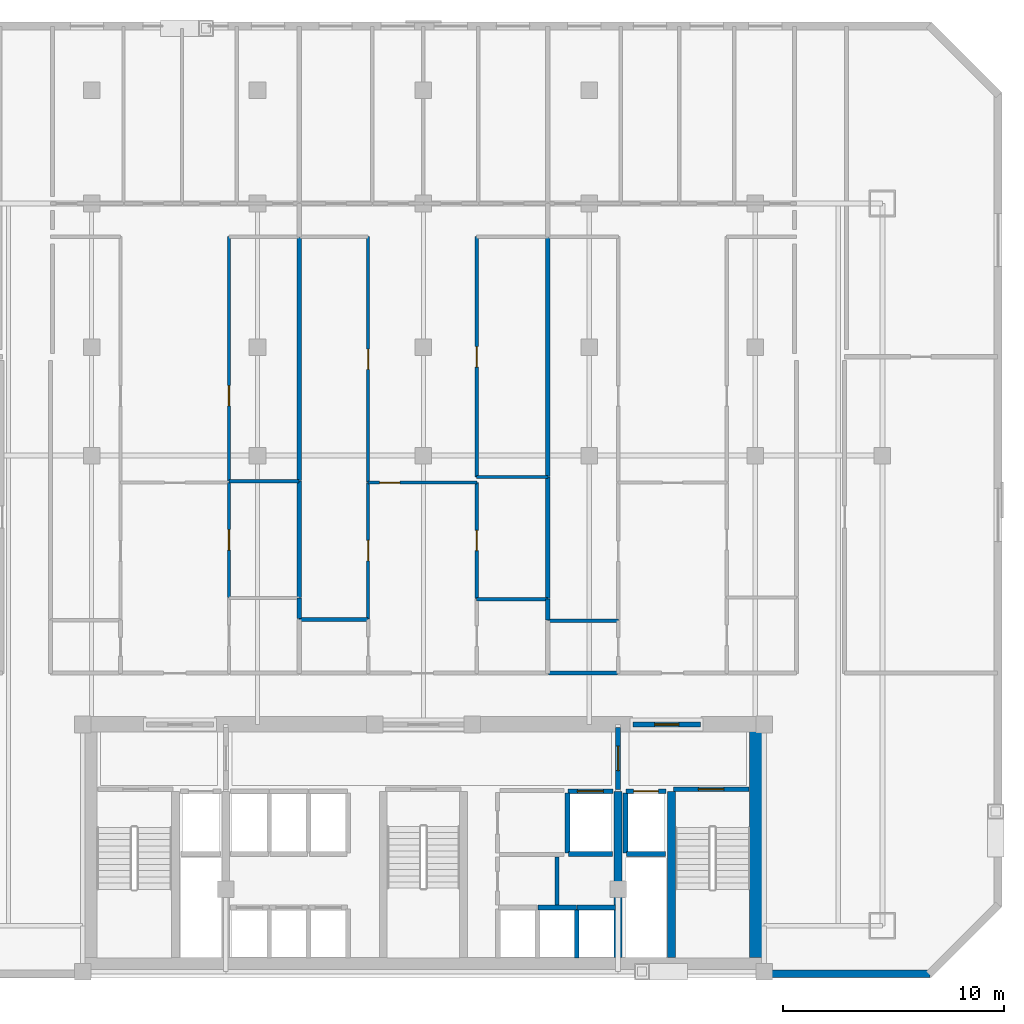
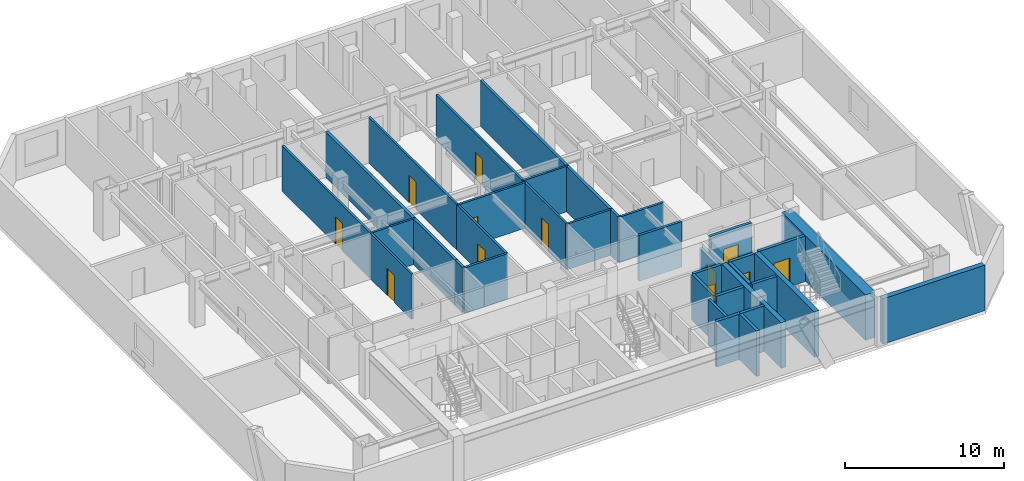
# One storey, part 4 of 8: 36 walls, 12 doors, 12 openings.
"""IFC4 building model written with IfcOpenShell, lengths in metres."""

from ifc_helpers import new_model, si_unit, direction, frame, frame_2d, origin, place, context, subcontext, project, spatial, rectangle, extrude, material, layer, layer_set, type_object, element, fill, save


model = new_model("IFC4")

# Units and contexts
model_context = context("Model", 3, precision=1e-05, world=origin(), true_north=direction((0.0, 1.0)))
body_context = subcontext(model_context, "Body", "Model", "MODEL_VIEW")
ifc_project = project(units=[si_unit("LENGTHUNIT", "METRE"), si_unit("AREAUNIT", "SQUARE_METRE"), si_unit("VOLUMEUNIT", "CUBIC_METRE"), si_unit("PLANEANGLEUNIT", "RADIAN"), si_unit("MASSUNIT", "GRAM", prefix="KILO")], contexts=[model_context])

# Site, building, storey
site_placement = place(None, origin())
site = spatial("IfcSite", under=ifc_project, at=site_placement, CompositionType="ELEMENT")
building_placement = place(site_placement, origin())
building = spatial("IfcBuilding", under=site, at=building_placement, Name="Ventersveld Concourse Tower", CompositionType="ELEMENT")
storey_placement = place(building_placement, frame((0.0, 0.0, 131.10009765625)))
storey = spatial("IfcBuildingStorey", under=building, at=storey_placement, Name="L32", CompositionType="ELEMENT", Elevation=131.10009765625)

# Walls
ifc_material_1 = material(Name="Concrete C60/75", Category="concrete")
ifc_layer_1 = layer(ifc_material_1, 0.35009765625)
ifc_layer_set_1 = layer_set([ifc_layer_1], Name="Concrete C60/75")
wall_type_1 = type_object("IfcWallType", Name="WL-CORE-350L", PredefinedType="SHEAR", material=ifc_layer_set_1)
for number, where, z_axis, x_axis, name in (
    (1, (37.550048828125, 0.919921875, 0.0), (0.0, 0.0, 1.0), (0.0, 1.0, 0.0), "L32 Core Internal Shear Web W-SVL-W"),
    (2, (39.9599609375, 0.919921875, 0.0), (0.0, 0.0, 1.0), (0.0, 1.0, 0.0), "L32 Core Internal Shear Web W-ST2-W"),
):
    element("IfcWall", number, at=place(storey_placement, frame(where, z_axis=z_axis, x_axis=x_axis)), inside=storey, type_object=wall_type_1, Name=name, PredefinedType="SHEAR", context=body_context, shape_type="SweptSolid", body=[
        extrude(rectangle(XDim=7.5, YDim=0.35009765625, at=frame_2d((3.75, 0.0))), origin(), (0.0, 0.0, 1.0), 3.5),
    ])
ifc_layer_2 = layer(ifc_material_1, 0.699951171875)
ifc_layer_set_2 = layer_set([ifc_layer_2], Name="Concrete C60/75")
wall_type_2 = type_object("IfcWallType", Name="WL-CORE-700", PredefinedType="SHEAR", material=ifc_layer_set_2)
wall_1_placement = place(storey_placement, frame((43.85009765625, 0.919921875, 0.0), z_axis=(0.0, 0.0, 1.0), x_axis=(0.0, 1.0, 0.0)))
element("IfcWall", 3, at=wall_1_placement, inside=storey, type_object=wall_type_2, Name="L32 Rear Core East Shear Wall", PredefinedType="SHEAR", context=body_context, shape_type="SweptSolid", body=[
    extrude(rectangle(XDim=10.530029296875, YDim=0.699951171875, at=frame_2d((5.26513671875, 0.0))), origin(), (0.0, 0.0, 1.0), 3.5),
])
ifc_material_2 = material(Name="Fire-rated autoclaved aerated masonry blockwork", Category="masonry")
ifc_layer_3 = layer(ifc_material_2, 0.179931640625)
ifc_layer_set_3 = layer_set([ifc_layer_3], Name="Fire-rated autoclaved aerated masonry blockwork")
wall_type_3 = type_object("IfcWallType", Name="WL-CORR-180", PredefinedType="PARTITIONING", material=ifc_layer_set_3)
wall_2_placement = place(storey_placement, frame((34.780029296875, 3.280029296875, 0.0), z_axis=(0.0, 0.0, 1.0), x_axis=(0.0, 1.0, 0.0)))
element("IfcWall", 4, at=wall_2_placement, inside=storey, type_object=wall_type_3, Name="L32 Core East Wall SP-L32-CBAY2", PredefinedType="PARTITIONING", context=body_context, shape_type="SweptSolid", body=[
    extrude(rectangle(XDim=2.169921875, YDim=0.179931640625, at=frame_2d((1.0849609375, 0.0))), origin(), (0.0, 0.0, 1.0), 3.5),
])
wall_3_placement = place(storey_placement, frame((34.405029296875, 13.77001953125, 0.0), z_axis=(0.0, 0.0, 1.0), x_axis=(1.0, 0.0, 0.0)))
element("IfcWall", 5, at=wall_3_placement, inside=storey, type_object=wall_type_3, Name="L32 Interior Partition SP-L32-COR-SP-L32-32N3-BATH", PredefinedType="PARTITIONING", context=body_context, shape_type="SweptSolid", body=[
    extrude(rectangle(XDim=3.119140625, YDim=0.179931640625, at=frame_2d((1.5595703125, 0.0))), origin(), (0.0, 0.0, 1.0), 3.5),
])
ifc_layer_4 = layer(ifc_material_2, 0.199951171875)
ifc_layer_set_4 = layer_set([ifc_layer_4], Name="Fire-rated autoclaved aerated masonry blockwork")
wall_type_4 = type_object("IfcWallType", Name="WL-DEMISE-200", PredefinedType="PARTITIONING", material=ifc_layer_set_4)
wall_4_placement = place(storey_placement, frame((23.1298828125, 16.229736328125, 0.0), z_axis=(0.0, 0.0, 1.0), x_axis=(0.0, 1.0, 0.0)))
element("IfcWall", 6, at=wall_4_placement, inside=storey, type_object=wall_type_4, Name="L32 Interior Partition SP-L32-32N1-KIT-SP-L32-32N2-OFFL0", PredefinedType="PARTITIONING", context=body_context, shape_type="SweptSolid", body=[
    extrude(rectangle(XDim=0.940185546875, YDim=0.199951171875, at=frame_2d((0.47021484375, 0.0))), origin(), (0.0, 0.0, 1.0), 3.5),
])
wall_5_placement = place(storey_placement, frame((23.1298828125, 17.19970703125, 0.0), z_axis=(0.0, 0.0, 1.0), x_axis=(0.0, 1.0, 0.0)))
element("IfcWall", 7, at=wall_5_placement, inside=storey, type_object=wall_type_4, Name="L32 Interior Partition SP-L32-32N1-SEMR1-SP-L32-32N2-OFFL0", PredefinedType="PARTITIONING", context=body_context, shape_type="SweptSolid", body=[
    extrude(rectangle(XDim=5.246826171875, YDim=0.199951171875, at=frame_2d((2.62353515625, 0.0))), origin(), (0.0, 0.0, 1.0), 3.5),
])
wall_6_placement = place(storey_placement, frame((23.1298828125, 22.4765625, 0.0), z_axis=(0.0, 0.0, 1.0), x_axis=(0.0, 1.0, 0.0)))
element("IfcWall", 8, at=wall_6_placement, inside=storey, type_object=wall_type_4, Name="L32 Interior Partition SP-L32-32N1-DENS-SP-L32-32N2-OFFL0", PredefinedType="PARTITIONING", context=body_context, shape_type="SweptSolid", body=[
    extrude(rectangle(XDim=10.988525390625, YDim=0.199951171875, at=frame_2d((5.494140625, 0.0))), origin(), (0.0, 0.0, 1.0), 3.5),
])
wall_7_placement = place(storey_placement, frame((34.3701171875, 16.17822265625, 0.0), z_axis=(0.0, 0.0, 1.0), x_axis=(0.0, 1.0, 0.0)))
element("IfcWall", 9, at=wall_7_placement, inside=storey, type_object=wall_type_4, Name="L32 Interior Partition SP-L32-32N2-KIT-SP-L32-32N3-OFFL0", PredefinedType="PARTITIONING", context=body_context, shape_type="SweptSolid", body=[
    extrude(rectangle(XDim=0.94287109375, YDim=0.199951171875, at=frame_2d((0.471435546875, 0.0))), origin(), (0.0, 0.0, 1.0), 3.5),
])
wall_8_placement = place(storey_placement, frame((34.3701171875, 17.15087890625, 0.0), z_axis=(0.0, 0.0, 1.0), x_axis=(0.0, 1.0, 0.0)))
element("IfcWall", 10, at=wall_8_placement, inside=storey, type_object=wall_type_4, Name="L32 Interior Partition SP-L32-32N2-SEMR1-SP-L32-32N3-OFFL0", PredefinedType="PARTITIONING", context=body_context, shape_type="SweptSolid", body=[
    extrude(rectangle(XDim=5.487548828125, YDim=0.199951171875, at=frame_2d((2.74365234375, 0.0))), origin(), (0.0, 0.0, 1.0), 3.5),
])
wall_9_placement = place(storey_placement, frame((34.3701171875, 22.66845703125, 0.0), z_axis=(0.0, 0.0, 1.0), x_axis=(0.0, 1.0, 0.0)))
element("IfcWall", 11, at=wall_9_placement, inside=storey, type_object=wall_type_4, Name="L32 Interior Partition SP-L32-32N2-DENS-SP-L32-32N3-OFFL0", PredefinedType="PARTITIONING", context=body_context, shape_type="SweptSolid", body=[
    extrude(rectangle(XDim=10.796630859375, YDim=0.199951171875, at=frame_2d((5.3984375, 0.0))), origin(), (0.0, 0.0, 1.0), 3.5),
])
ifc_layer_5 = layer(ifc_material_2, 0.219970703125)
ifc_layer_set_5 = layer_set([ifc_layer_5], Name="Fire-rated autoclaved aerated masonry blockwork")
wall_type_5 = type_object("IfcWallType", Name="WL-HOIST-220", PredefinedType="SOLIDWALL", material=ifc_layer_set_5)
wall_10_placement = place(storey_placement, frame((37.919921875, 5.590087890625, 0.0), z_axis=(0.0, 0.0, 1.0), x_axis=(1.0, 0.0, 0.0)))
element("IfcWall", 12, at=wall_10_placement, inside=storey, type_object=wall_type_5, Name="L32 Lift Hoistway Back Wall FFL-02", PredefinedType="SOLIDWALL", context=body_context, shape_type="SweptSolid", body=[
    extrude(rectangle(XDim=1.780029296875, YDim=0.219970703125, at=frame_2d((0.89013671875, 0.0))), origin(), (0.0, 0.0, 1.0), 3.5),
])
wall_11_placement = place(storey_placement, frame((37.8798828125, 5.64990234375, 0.0), z_axis=(0.0, 0.0, 1.0), x_axis=(0.0, 1.0, 0.0)))
element("IfcWall", 13, at=wall_11_placement, inside=storey, type_object=wall_type_5, Name="L32 Lift Hoistway Side Wall FFL-02W", PredefinedType="SOLIDWALL", context=body_context, shape_type="SweptSolid", body=[
    extrude(rectangle(XDim=2.7001953125, YDim=0.219970703125, at=frame_2d((1.35009765625, 0.0))), origin(), (0.0, 0.0, 1.0), 3.5),
])

# Wall, opening, door
wall_12_placement = place(storey_placement, frame((37.89990234375, 8.429931640625, 0.0), z_axis=(0.0, 0.0, 1.0), x_axis=(1.0, 0.0, 0.0)))
wall_12 = element("IfcWall", 14, at=wall_12_placement, inside=storey, type_object=wall_type_5, Name="L32 Lift Hoistway Front Wall FFL-02", PredefinedType="SOLIDWALL", context=body_context, shape_type="SweptSolid", body=[
    extrude(rectangle(XDim=1.820068359375, YDim=0.219970703125, at=frame_2d((0.91015625, 0.0))), origin(), (0.0, 0.0, 1.0), 3.5),
])
opening_1_placement = place(wall_12_placement, frame((0.35009765625, 0.0, 0.0)))
opening_1 = element("IfcOpeningElement", 15, at=opening_1_placement, cuts=wall_12, Name="Opening LD1", PredefinedType="OPENING", context=body_context, shape_type="SweptSolid", body=[
    extrude(rectangle(XDim=1.1201171875, YDim=2.25, at=frame_2d((0.56005859375, 1.125))), frame((0.0, 0.1201171875, 0.0), z_axis=(0.0, -1.0, 0.0), x_axis=(1.0, 0.0, 0.0)), (0.0, 0.0, 1.0), 0.239990234375),
])
ifc_material_3 = material(Name="Brushed stainless steel 316", Category="steel")
door_type_1 = type_object("IfcDoorType", Name="LD-FF-112", OperationType="SLIDING_TO_LEFT", PredefinedType="DOOR", material=ifc_material_3)
door_1_placement = place(opening_1_placement, origin())
door_1 = element("IfcDoor", 16, at=door_1_placement, inside=storey, type_object=door_type_1, Name="L32 Lift landing door FFL-02 (LD-L32-FFL-02)", OperationType="SLIDING_TO_RIGHT", OverallHeight=2.25, OverallWidth=1.1201171875, PredefinedType="DOOR", context=body_context, shape_type="SweptSolid", body=[
    extrude(rectangle(XDim=1.1201171875, YDim=2.25, at=frame_2d((0.56005859375, 1.125))), frame((0.0, 0.02490234375, 0.0), z_axis=(0.0, -1.0, 0.0), x_axis=(1.0, 0.0, 0.0)), (0.0, 0.0, 1.0), 0.050048828125),
])
fill(opening_1, door_1)

# Walls
wall_13_placement = place(storey_placement, frame((35.300048828125, 5.590087890625, 0.0), z_axis=(0.0, 0.0, 1.0), x_axis=(1.0, 0.0, 0.0)))
element("IfcWall", 17, at=wall_13_placement, inside=storey, type_object=wall_type_5, Name="L32 Lift Hoistway Back Wall SVL-01", PredefinedType="SOLIDWALL", context=body_context, shape_type="SweptSolid", body=[
    extrude(rectangle(XDim=2.0, YDim=0.219970703125, at=frame_2d((1.0, 0.0))), origin(), (0.0, 0.0, 1.0), 3.5),
])
wall_14_placement = place(storey_placement, frame((35.260009765625, 5.64990234375, 0.0), z_axis=(0.0, 0.0, 1.0), x_axis=(0.0, 1.0, 0.0)))
element("IfcWall", 18, at=wall_14_placement, inside=storey, type_object=wall_type_5, Name="L32 Lift Hoistway Side Wall SVL-01W", PredefinedType="SOLIDWALL", context=body_context, shape_type="SweptSolid", body=[
    extrude(rectangle(XDim=2.7001953125, YDim=0.219970703125, at=frame_2d((1.35009765625, 0.0))), origin(), (0.0, 0.0, 1.0), 3.5),
])

# Wall, opening, door
wall_15_placement = place(storey_placement, frame((35.280029296875, 8.429931640625, 0.0), z_axis=(0.0, 0.0, 1.0), x_axis=(1.0, 0.0, 0.0)))
wall_15 = element("IfcWall", 19, at=wall_15_placement, inside=storey, type_object=wall_type_5, Name="L32 Lift Hoistway Front Wall SVL-01", PredefinedType="SOLIDWALL", context=body_context, shape_type="SweptSolid", body=[
    extrude(rectangle(XDim=2.0400390625, YDim=0.219970703125, at=frame_2d((1.02001953125, 0.0))), origin(), (0.0, 0.0, 1.0), 3.5),
])
opening_2_placement = place(wall_15_placement, frame((0.429931640625, 0.0, 0.0)))
opening_2 = element("IfcOpeningElement", 20, at=opening_2_placement, cuts=wall_15, Name="Opening LD2", PredefinedType="OPENING", context=body_context, shape_type="SweptSolid", body=[
    extrude(rectangle(XDim=1.179931640625, YDim=2.199951171875, at=frame_2d((0.58984375, 1.10009765625))), frame((0.0, 0.1201171875, 0.0), z_axis=(0.0, -1.0, 0.0), x_axis=(1.0, 0.0, 0.0)), (0.0, 0.0, 1.0), 0.239990234375),
])
door_type_2 = type_object("IfcDoorType", Name="LD-PAX-118", OperationType="SLIDING_TO_LEFT", PredefinedType="DOOR", material=ifc_material_3)
door_2_placement = place(opening_2_placement, origin())
door_2 = element("IfcDoor", 21, at=door_2_placement, inside=storey, type_object=door_type_2, Name="L32 Lift landing door SVL-01 (LD-L32-SVL-01)", OperationType="SLIDING_TO_LEFT", OverallHeight=2.199951171875, OverallWidth=1.179931640625, PredefinedType="DOOR", context=body_context, shape_type="SweptSolid", body=[
    extrude(rectangle(XDim=1.179931640625, YDim=2.199951171875, at=frame_2d((0.58984375, 1.10009765625))), frame((0.0, 0.02490234375, 0.0), z_axis=(0.0, -1.0, 0.0), x_axis=(1.0, 0.0, 0.0)), (0.0, 0.0, 1.0), 0.050048828125),
])
fill(opening_2, door_2)

# Walls
wall_16_placement = place(storey_placement, frame((35.679931640625, 0.89990234375, 0.0), z_axis=(0.0, 0.0, 1.0), x_axis=(0.0, 1.0, 0.0)))
element("IfcWall", 22, at=wall_16_placement, inside=storey, type_object=wall_type_5, Name="L32 Lift Hoistway Side Wall PM-02E", PredefinedType="SOLIDWALL", context=body_context, shape_type="SweptSolid", body=[
    extrude(rectangle(XDim=2.2001953125, YDim=0.219970703125, at=frame_2d((1.10009765625, 0.0))), origin(), (0.0, 0.0, 1.0), 3.5),
])
for number, where, z_axis, x_axis, name in (
    (23, (33.919921875, 3.179931640625, 0.0), (0.0, 0.0, 1.0), (1.0, 0.0, 0.0), "L32 Lift Hoistway Front Wall PM-02"),
    (24, (35.699951171875, 3.179931640625, 0.0), (0.0, 0.0, 1.0), (1.0, 0.0, 0.0), "L32 Lift Hoistway Front Wall PM-03"),
):
    element("IfcWall", number, at=place(storey_placement, frame(where, z_axis=z_axis, x_axis=x_axis)), inside=storey, type_object=wall_type_5, Name=name, PredefinedType="SOLIDWALL", context=body_context, shape_type="SweptSolid", body=[
        extrude(rectangle(XDim=1.739990234375, YDim=0.219970703125, at=frame_2d((0.8701171875, 0.0))), origin(), (0.0, 0.0, 1.0), 3.5),
    ])

# Wall, opening, door
wall_17_placement = place(storey_placement, frame((40.06005859375, 8.52001953125, 0.0), z_axis=(0.0, 0.0, 1.0), x_axis=(1.0, 0.0, 0.0)))
wall_17 = element("IfcWall", 25, at=wall_17_placement, inside=storey, type_object=wall_type_5, Name="L32 Escape Stair ST02 Fire Wall", PredefinedType="SOLIDWALL", context=body_context, shape_type="SweptSolid", body=[
    extrude(rectangle(XDim=3.39990234375, YDim=0.219970703125, at=frame_2d((1.699951171875, 0.0))), origin(), (0.0, 0.0, 1.0), 3.5),
])
opening_3_placement = place(wall_17_placement, frame((1.125, 0.0, 0.0)))
opening_3 = element("IfcOpeningElement", 26, at=opening_3_placement, cuts=wall_17, Name="Opening FD1", PredefinedType="OPENING", context=body_context, shape_type="SweptSolid", body=[
    extrude(rectangle(XDim=1.14990234375, YDim=2.199951171875, at=frame_2d((0.574951171875, 1.10009765625))), frame((0.0, 0.1201171875, 0.0), z_axis=(0.0, -1.0, 0.0), x_axis=(1.0, 0.0, 0.0)), (0.0, 0.0, 1.0), 0.239990234375),
])
ifc_material_4 = material(Name="Galvanised painted steel", Category="steel")
door_type_3 = type_object("IfcDoorType", Name="DR-STAIR-115", OperationType="NOTDEFINED", PredefinedType="DOOR", material=ifc_material_4)
door_3_placement = place(opening_3_placement, origin())
door_3 = element("IfcDoor", 27, at=door_3_placement, inside=storey, type_object=door_type_3, Name="L32 Escape Stair Door ST02 (SD-L32-1585)", OperationType="SINGLE_SWING_RIGHT", OverallHeight=2.199951171875, OverallWidth=1.14990234375, PredefinedType="DOOR", context=body_context, shape_type="SweptSolid", body=[
    extrude(rectangle(XDim=1.14990234375, YDim=2.199951171875, at=frame_2d((0.574951171875, 1.10009765625))), frame((0.0, 0.02490234375, 0.0), z_axis=(0.0, -1.0, 0.0), x_axis=(1.0, 0.0, 0.0)), (0.0, 0.0, 1.0), 0.050048828125),
])
fill(opening_3, door_3)

wall_18_placement = place(storey_placement, frame((37.550048828125, 8.52001953125, 0.0), z_axis=(0.0, 0.0, 1.0), x_axis=(0.0, 1.0, 0.0)))
wall_18 = element("IfcWall", 28, at=wall_18_placement, inside=storey, type_object=wall_type_5, Name="L32 Firefighting Lobby Smoke-Stop Wall FFLE-SEP", PredefinedType="SOLIDWALL", context=body_context, shape_type="SweptSolid", body=[
    extrude(rectangle(XDim=2.800048828125, YDim=0.219970703125, at=frame_2d((1.39990234375, 0.0))), origin(), (0.0, 0.0, 1.0), 2.955322265625),
])
opening_4_placement = place(wall_18_placement, frame((0.85009765625, 0.0, 0.0)))
opening_4 = element("IfcOpeningElement", 29, at=opening_4_placement, cuts=wall_18, Name="Opening FD2", PredefinedType="OPENING", context=body_context, shape_type="SweptSolid", body=[
    extrude(rectangle(XDim=1.10009765625, YDim=2.199951171875, at=frame_2d((0.550048828125, 1.10009765625))), frame((0.0, 0.1201171875, 0.0), z_axis=(0.0, -1.0, 0.0), x_axis=(1.0, 0.0, 0.0)), (0.0, 0.0, 1.0), 0.239990234375),
])
door_type_4 = type_object("IfcDoorType", Name="DR-FFL-110", OperationType="NOTDEFINED", PredefinedType="DOOR", material=ifc_material_4)
door_4_placement = place(opening_4_placement, origin())
door_4 = element("IfcDoor", 30, at=door_4_placement, inside=storey, type_object=door_type_4, Name="L32 Firefighting Lobby Door FFLE-SEP (FD-L32-1588)", OperationType="SINGLE_SWING_RIGHT", OverallHeight=2.199951171875, OverallWidth=1.10009765625, PredefinedType="DOOR", context=body_context, shape_type="SweptSolid", body=[
    extrude(rectangle(XDim=1.10009765625, YDim=2.199951171875, at=frame_2d((0.550048828125, 1.10009765625))), frame((0.0, 0.02490234375, 0.0), z_axis=(0.0, -1.0, 0.0), x_axis=(1.0, 0.0, 0.0)), (0.0, 0.0, 1.0), 0.050048828125),
])
fill(opening_4, door_4)

wall_19_placement = place(storey_placement, frame((38.22998046875, 11.449951171875, 0.0), z_axis=(0.0, 0.0, 1.0), x_axis=(1.0, 0.0, 0.0)))
wall_19 = element("IfcWall", 31, at=wall_19_placement, inside=storey, type_object=wall_type_5, Name="L32 Core North Fire Portal FFLE-OUT", PredefinedType="SOLIDWALL", context=body_context, shape_type="SweptSolid", body=[
    extrude(rectangle(XDim=3.0400390625, YDim=0.219970703125, at=frame_2d((1.52001953125, 0.0))), origin(), (0.0, 0.0, 1.0), 3.5),
])
opening_5_placement = place(wall_19_placement, frame((0.969970703125, 0.0, 0.0)))
opening_5 = element("IfcOpeningElement", 32, at=opening_5_placement, cuts=wall_19, Name="Opening FD2", PredefinedType="OPENING", context=body_context, shape_type="SweptSolid", body=[
    extrude(rectangle(XDim=1.10009765625, YDim=2.199951171875, at=frame_2d((0.550048828125, 1.10009765625))), frame((0.0, 0.1201171875, 0.0), z_axis=(0.0, -1.0, 0.0), x_axis=(1.0, 0.0, 0.0)), (0.0, 0.0, 1.0), 0.239990234375),
])
door_5_placement = place(opening_5_placement, origin())
door_5 = element("IfcDoor", 33, at=door_5_placement, inside=storey, type_object=door_type_4, Name="L32 Core Lobby Fire Door FFLE-OUT (FD-L32-1591)", OperationType="SINGLE_SWING_LEFT", OverallHeight=2.199951171875, OverallWidth=1.10009765625, PredefinedType="DOOR", context=body_context, shape_type="SweptSolid", body=[
    extrude(rectangle(XDim=1.10009765625, YDim=2.199951171875, at=frame_2d((0.550048828125, 1.10009765625))), frame((0.0, 0.02490234375, 0.0), z_axis=(0.0, -1.0, 0.0), x_axis=(1.0, 0.0, 0.0)), (0.0, 0.0, 1.0), 0.050048828125),
])
fill(opening_5, door_5)

ifc_material_5 = material(Name="Autoclaved aerated masonry blockwork", Category="masonry")
ifc_layer_6 = layer(ifc_material_5, 0.14990234375)
ifc_layer_set_6 = layer_set([ifc_layer_6], Name="Autoclaved aerated masonry blockwork")
wall_type_6 = type_object("IfcWallType", Name="WL-INT-150", PredefinedType="PARTITIONING", material=ifc_layer_set_6)
wall_20_placement = place(storey_placement, frame((19.9638671875, 17.19970703125, 0.0), z_axis=(0.0, 0.0, 1.0), x_axis=(0.0, 1.0, 0.0)))
wall_20 = element("IfcWall", 34, at=wall_20_placement, inside=storey, type_object=wall_type_6, Name="L32 Interior Partition SP-L32-32N1-FOY-SP-L32-32N1-SEMR1", PredefinedType="PARTITIONING", context=body_context, shape_type="SweptSolid", body=[
    extrude(rectangle(XDim=5.189697265625, YDim=0.14990234375, at=frame_2d((2.5947265625, 0.0))), origin(), (0.0, 0.0, 1.0), 3.5),
])
opening_6_placement = place(wall_20_placement, frame((2.135009765625, 0.0, 0.0)))
opening_6 = element("IfcOpeningElement", 35, at=opening_6_placement, cuts=wall_20, Name="Opening ID1", PredefinedType="OPENING", context=body_context, shape_type="SweptSolid", body=[
    extrude(rectangle(XDim=0.919921875, YDim=2.10009765625, at=frame_2d((0.4599609375, 1.050048828125))), frame((0.0, 0.0849609375, 0.0), z_axis=(0.0, -1.0, 0.0), x_axis=(1.0, 0.0, 0.0)), (0.0, 0.0, 1.0), 0.169921875),
])
ifc_material_6 = material(Name="Solid-core hardwood veneer timber", Category="wood")
door_type_5 = type_object("IfcDoorType", Name="DR-ROOM-092", OperationType="NOTDEFINED", PredefinedType="DOOR", material=ifc_material_6)
door_6_placement = place(opening_6_placement, origin())
door_6 = element("IfcDoor", 36, at=door_6_placement, inside=storey, type_object=door_type_5, Name="L32 Interior Door SP-L32-32N1-FOY to SP-L32-32N1-SEMR1 (D-L32-1605)", OperationType="SINGLE_SWING_LEFT", OverallHeight=2.10009765625, OverallWidth=0.919921875, PredefinedType="DOOR", context=body_context, shape_type="SweptSolid", body=[
    extrude(rectangle(XDim=0.919921875, YDim=2.10009765625, at=frame_2d((0.4599609375, 1.050048828125))), frame((0.0, 0.02490234375, 0.0), z_axis=(0.0, -1.0, 0.0), x_axis=(1.0, 0.0, 0.0)), (0.0, 0.0, 1.0), 0.050048828125),
])
fill(opening_6, door_6)

wall_21_placement = place(storey_placement, frame((19.9638671875, 22.4365234375, 0.0), z_axis=(0.0, 0.0, 1.0), x_axis=(0.0, 1.0, 0.0)))
wall_21 = element("IfcWall", 37, at=wall_21_placement, inside=storey, type_object=wall_type_6, Name="L32 Interior Partition SP-L32-32N1-LIV-SP-L32-32N1-DENS", PredefinedType="PARTITIONING", context=body_context, shape_type="SweptSolid", body=[
    extrude(rectangle(XDim=11.068359375, YDim=0.14990234375, at=frame_2d((5.5341796875, 0.0))), origin(), (0.0, 0.0, 1.0), 3.5),
])
opening_7_placement = place(wall_21_placement, frame((3.4140625, 0.0, 0.0)))
opening_7 = element("IfcOpeningElement", 38, at=opening_7_placement, cuts=wall_21, Name="Opening ID1", PredefinedType="OPENING", context=body_context, shape_type="SweptSolid", body=[
    extrude(rectangle(XDim=0.919921875, YDim=2.10009765625, at=frame_2d((0.4599609375, 1.050048828125))), frame((0.0, 0.0849609375, 0.0), z_axis=(0.0, -1.0, 0.0), x_axis=(1.0, 0.0, 0.0)), (0.0, 0.0, 1.0), 0.169921875),
])
door_7_placement = place(opening_7_placement, origin())
door_7 = element("IfcDoor", 39, at=door_7_placement, inside=storey, type_object=door_type_5, Name="L32 Interior Door SP-L32-32N1-LIV to SP-L32-32N1-DENS (D-L32-1607)", OperationType="SINGLE_SWING_LEFT", OverallHeight=2.10009765625, OverallWidth=0.919921875, PredefinedType="DOOR", context=body_context, shape_type="SweptSolid", body=[
    extrude(rectangle(XDim=0.919921875, YDim=2.10009765625, at=frame_2d((0.4599609375, 1.050048828125))), frame((0.0, 0.02490234375, 0.0), z_axis=(0.0, -1.0, 0.0), x_axis=(1.0, 0.0, 0.0)), (0.0, 0.0, 1.0), 0.050048828125),
])
fill(opening_7, door_7)

# Wall
wall_22_placement = place(storey_placement, frame((19.958740234375, 22.44140625, 0.0), z_axis=(0.0, 0.0, 1.0), x_axis=(1.0, 0.0, 0.0)))
element("IfcWall", 40, at=wall_22_placement, inside=storey, type_object=wall_type_6, Name="L32 Interior Partition SP-L32-32N1-SEMR1-SP-L32-32N1-DENS", PredefinedType="PARTITIONING", context=body_context, shape_type="SweptSolid", body=[
    extrude(rectangle(XDim=3.17626953125, YDim=0.14990234375, at=frame_2d((1.588134765625, 0.0))), origin(), (0.0, 0.0, 1.0), 3.5),
])

# Wall, opening, door
wall_23_placement = place(storey_placement, frame((26.2451171875, 22.384521484375, 0.0), z_axis=(0.0, 0.0, 1.0), x_axis=(1.0, 0.0, 0.0)))
wall_23 = element("IfcWall", 41, at=wall_23_placement, inside=storey, type_object=wall_type_6, Name="L32 Interior Partition SP-L32-32N2-FOY-SP-L32-32N2-LIV", PredefinedType="PARTITIONING", context=body_context, shape_type="SweptSolid", body=[
    extrude(rectangle(XDim=4.917724609375, YDim=0.14990234375, at=frame_2d((2.458984375, 0.0))), origin(), (0.0, 0.0, 1.0), 3.5),
])
opening_8_placement = place(wall_23_placement, frame((0.5234375, 0.0, 0.0)))
opening_8 = element("IfcOpeningElement", 42, at=opening_8_placement, cuts=wall_23, Name="Opening ID1", PredefinedType="OPENING", context=body_context, shape_type="SweptSolid", body=[
    extrude(rectangle(XDim=0.919921875, YDim=2.10009765625, at=frame_2d((0.4599609375, 1.050048828125))), frame((0.0, 0.0849609375, 0.0), z_axis=(0.0, -1.0, 0.0), x_axis=(1.0, 0.0, 0.0)), (0.0, 0.0, 1.0), 0.169921875),
])
door_8_placement = place(opening_8_placement, origin())
door_8 = element("IfcDoor", 43, at=door_8_placement, inside=storey, type_object=door_type_5, Name="L32 Interior Door SP-L32-32N2-FOY to SP-L32-32N2-LIV (D-L32-1612)", OperationType="SINGLE_SWING_RIGHT", OverallHeight=2.10009765625, OverallWidth=0.919921875, PredefinedType="DOOR", context=body_context, shape_type="SweptSolid", body=[
    extrude(rectangle(XDim=0.919921875, YDim=2.10009765625, at=frame_2d((0.4599609375, 1.050048828125))), frame((0.0, 0.02490234375, 0.0), z_axis=(0.0, -1.0, 0.0), x_axis=(1.0, 0.0, 0.0)), (0.0, 0.0, 1.0), 0.050048828125),
])
fill(opening_8, door_8)

wall_24_placement = place(storey_placement, frame((26.250244140625, 16.229736328125, 0.0), z_axis=(0.0, 0.0, 1.0), x_axis=(0.0, 1.0, 0.0)))
wall_24 = element("IfcWall", 44, at=wall_24_placement, inside=storey, type_object=wall_type_6, Name="L32 Interior Partition SP-L32-32N2-FOY-SP-L32-32N2-OFFL0", PredefinedType="PARTITIONING", context=body_context, shape_type="SweptSolid", body=[
    extrude(rectangle(XDim=6.15966796875, YDim=0.14990234375, at=frame_2d((3.079833984375, 0.0))), origin(), (0.0, 0.0, 1.0), 3.5),
])
opening_9_placement = place(wall_24_placement, frame((2.619873046875, 0.0, 0.0)))
opening_9 = element("IfcOpeningElement", 45, at=opening_9_placement, cuts=wall_24, Name="Opening ID1", PredefinedType="OPENING", context=body_context, shape_type="SweptSolid", body=[
    extrude(rectangle(XDim=0.919921875, YDim=2.10009765625, at=frame_2d((0.4599609375, 1.050048828125))), frame((0.0, 0.0849609375, 0.0), z_axis=(0.0, -1.0, 0.0), x_axis=(1.0, 0.0, 0.0)), (0.0, 0.0, 1.0), 0.169921875),
])
door_9_placement = place(opening_9_placement, origin())
door_9 = element("IfcDoor", 46, at=door_9_placement, inside=storey, type_object=door_type_5, Name="L32 Interior Door SP-L32-32N2-FOY to SP-L32-32N2-OFFL0 (D-L32-1614)", OperationType="SINGLE_SWING_RIGHT", OverallHeight=2.10009765625, OverallWidth=0.919921875, PredefinedType="DOOR", context=body_context, shape_type="SweptSolid", body=[
    extrude(rectangle(XDim=0.919921875, YDim=2.10009765625, at=frame_2d((0.4599609375, 1.050048828125))), frame((0.0, 0.02490234375, 0.0), z_axis=(0.0, -1.0, 0.0), x_axis=(1.0, 0.0, 0.0)), (0.0, 0.0, 1.0), 0.050048828125),
])
fill(opening_9, door_9)

wall_25_placement = place(storey_placement, frame((31.15771484375, 17.15087890625, 0.0), z_axis=(0.0, 0.0, 1.0), x_axis=(0.0, 1.0, 0.0)))
wall_25 = element("IfcWall", 47, at=wall_25_placement, inside=storey, type_object=wall_type_6, Name="L32 Interior Partition SP-L32-32N2-FOY-SP-L32-32N2-SEMR1", PredefinedType="PARTITIONING", context=body_context, shape_type="SweptSolid", body=[
    extrude(rectangle(XDim=5.238525390625, YDim=0.14990234375, at=frame_2d((2.619140625, 0.0))), origin(), (0.0, 0.0, 1.0), 3.5),
])
opening_10_placement = place(wall_25_placement, frame((2.1591796875, 0.0, 0.0)))
opening_10 = element("IfcOpeningElement", 48, at=opening_10_placement, cuts=wall_25, Name="Opening ID1", PredefinedType="OPENING", context=body_context, shape_type="SweptSolid", body=[
    extrude(rectangle(XDim=0.919921875, YDim=2.10009765625, at=frame_2d((0.4599609375, 1.050048828125))), frame((0.0, 0.0849609375, 0.0), z_axis=(0.0, -1.0, 0.0), x_axis=(1.0, 0.0, 0.0)), (0.0, 0.0, 1.0), 0.169921875),
])
door_10_placement = place(opening_10_placement, origin())
door_10 = element("IfcDoor", 49, at=door_10_placement, inside=storey, type_object=door_type_5, Name="L32 Interior Door SP-L32-32N2-FOY to SP-L32-32N2-SEMR1 (D-L32-1616)", OperationType="SINGLE_SWING_RIGHT", OverallHeight=2.10009765625, OverallWidth=0.919921875, PredefinedType="DOOR", context=body_context, shape_type="SweptSolid", body=[
    extrude(rectangle(XDim=0.919921875, YDim=2.10009765625, at=frame_2d((0.4599609375, 1.050048828125))), frame((0.0, 0.02490234375, 0.0), z_axis=(0.0, -1.0, 0.0), x_axis=(1.0, 0.0, 0.0)), (0.0, 0.0, 1.0), 0.050048828125),
])
fill(opening_10, door_10)

wall_26_placement = place(storey_placement, frame((26.250244140625, 22.41943359375, 0.0), z_axis=(0.0, 0.0, 1.0), x_axis=(0.0, 1.0, 0.0)))
wall_26 = element("IfcWall", 50, at=wall_26_placement, inside=storey, type_object=wall_type_6, Name="L32 Interior Partition SP-L32-32N2-LIV-SP-L32-32N2-OFFL0", PredefinedType="PARTITIONING", context=body_context, shape_type="SweptSolid", body=[
    extrude(rectangle(XDim=11.08544921875, YDim=0.14990234375, at=frame_2d((5.542724609375, 0.0))), origin(), (0.0, 0.0, 1.0), 3.5),
])
opening_11_placement = place(wall_26_placement, frame((5.082763671875, 0.0, 0.0)))
opening_11 = element("IfcOpeningElement", 51, at=opening_11_placement, cuts=wall_26, Name="Opening ID1", PredefinedType="OPENING", context=body_context, shape_type="SweptSolid", body=[
    extrude(rectangle(XDim=0.919921875, YDim=2.10009765625, at=frame_2d((0.4599609375, 1.050048828125))), frame((0.0, 0.0849609375, 0.0), z_axis=(0.0, -1.0, 0.0), x_axis=(1.0, 0.0, 0.0)), (0.0, 0.0, 1.0), 0.169921875),
])
door_11_placement = place(opening_11_placement, origin())
door_11 = element("IfcDoor", 52, at=door_11_placement, inside=storey, type_object=door_type_5, Name="L32 Interior Door SP-L32-32N2-LIV to SP-L32-32N2-OFFL0 (D-L32-1617)", OperationType="SINGLE_SWING_LEFT", OverallHeight=2.10009765625, OverallWidth=0.919921875, PredefinedType="DOOR", context=body_context, shape_type="SweptSolid", body=[
    extrude(rectangle(XDim=0.919921875, YDim=2.10009765625, at=frame_2d((0.4599609375, 1.050048828125))), frame((0.0, 0.02490234375, 0.0), z_axis=(0.0, -1.0, 0.0), x_axis=(1.0, 0.0, 0.0)), (0.0, 0.0, 1.0), 0.050048828125),
])
fill(opening_11, door_11)

wall_27_placement = place(storey_placement, frame((31.15771484375, 22.62841796875, 0.0), z_axis=(0.0, 0.0, 1.0), x_axis=(0.0, 1.0, 0.0)))
wall_27 = element("IfcWall", 53, at=wall_27_placement, inside=storey, type_object=wall_type_6, Name="L32 Interior Partition SP-L32-32N2-LIV-SP-L32-32N2-DENS", PredefinedType="PARTITIONING", context=body_context, shape_type="SweptSolid", body=[
    extrude(rectangle(XDim=10.87646484375, YDim=0.14990234375, at=frame_2d((5.438232421875, 0.0))), origin(), (0.0, 0.0, 1.0), 3.5),
])
opening_12_placement = place(wall_27_placement, frame((4.978271484375, 0.0, 0.0)))
opening_12 = element("IfcOpeningElement", 54, at=opening_12_placement, cuts=wall_27, Name="Opening ID1", PredefinedType="OPENING", context=body_context, shape_type="SweptSolid", body=[
    extrude(rectangle(XDim=0.919921875, YDim=2.10009765625, at=frame_2d((0.4599609375, 1.050048828125))), frame((0.0, 0.0849609375, 0.0), z_axis=(0.0, -1.0, 0.0), x_axis=(1.0, 0.0, 0.0)), (0.0, 0.0, 1.0), 0.169921875),
])
door_12_placement = place(opening_12_placement, origin())
door_12 = element("IfcDoor", 55, at=door_12_placement, inside=storey, type_object=door_type_5, Name="L32 Interior Door SP-L32-32N2-LIV to SP-L32-32N2-DENS (D-L32-1618)", OperationType="SINGLE_SWING_RIGHT", OverallHeight=2.10009765625, OverallWidth=0.919921875, PredefinedType="DOOR", context=body_context, shape_type="SweptSolid", body=[
    extrude(rectangle(XDim=0.919921875, YDim=2.10009765625, at=frame_2d((0.4599609375, 1.050048828125))), frame((0.0, 0.02490234375, 0.0), z_axis=(0.0, -1.0, 0.0), x_axis=(1.0, 0.0, 0.0)), (0.0, 0.0, 1.0), 0.050048828125),
])
fill(opening_12, door_12)

# Walls
for number, where, z_axis, x_axis, name in (
    (56, (31.15283203125, 17.115966796875, 0.0), (0.0, 0.0, 1.0), (1.0, 0.0, 0.0), "L32 Interior Partition SP-L32-32N2-KIT-SP-L32-32N2-SEMR1"),
    (57, (31.15283203125, 22.63330078125, 0.0), (0.0, 0.0, 1.0), (1.0, 0.0, 0.0), "L32 Interior Partition SP-L32-32N2-SEMR1-SP-L32-32N2-DENS"),
):
    element("IfcWall", number, at=place(storey_placement, frame(where, z_axis=z_axis, x_axis=x_axis)), inside=storey, type_object=wall_type_6, Name=name, PredefinedType="PARTITIONING", context=body_context, shape_type="SweptSolid", body=[
        extrude(rectangle(XDim=3.22216796875, YDim=0.14990234375, at=frame_2d((1.611083984375, 0.0))), origin(), (0.0, 0.0, 1.0), 3.5),
    ])
ifc_material_7 = material(Name="Precast concrete C45/55", Category="concrete")
ifc_layer_7 = layer(ifc_material_7, 0.35009765625)
ifc_layer_set_7 = layer_set([ifc_layer_7], Name="Precast concrete C45/55")
wall_type_7 = type_object("IfcWallType", Name="WL-PREC-350", PredefinedType="SOLIDWALL", material=ifc_layer_set_7)
wall_28_placement = place(storey_placement, frame((44.25, 0.179931640625, 0.0), z_axis=(0.0, 0.0, 1.0), x_axis=(1.0, 0.0, 0.0)))
element("IfcWall", 58, at=wall_28_placement, inside=storey, type_object=wall_type_7, Name="L32 South-East Flank Precast Wall", PredefinedType="SOLIDWALL", context=body_context, shape_type="SweptSolid", body=[
    extrude(rectangle(XDim=7.409912109375, YDim=0.35009765625, at=frame_2d((3.705078125, 0.0))), origin(), (0.0, 0.0, 1.0), 3.5),
])
ifc_layer_8 = layer(ifc_material_5, 0.1650390625)
ifc_layer_set_8 = layer_set([ifc_layer_8], Name="Autoclaved aerated masonry blockwork")
wall_type_8 = type_object("IfcWallType", Name="WL-WET-165", PredefinedType="PLUMBINGWALL", material=ifc_layer_set_8)
wall_29_placement = place(storey_placement, frame((23.125, 16.194580078125, 0.0), z_axis=(0.0, 0.0, 1.0), x_axis=(1.0, 0.0, 0.0)))
element("IfcWall", 59, at=wall_29_placement, inside=storey, type_object=wall_type_8, Name="L32 Interior Partition SP-L32-32N2-BATH-SP-L32-32N2-OFFL0", PredefinedType="PLUMBINGWALL", context=body_context, shape_type="SweptSolid", body=[
    extrude(rectangle(XDim=3.130126953125, YDim=0.1650390625, at=frame_2d((1.56494140625, 0.0))), origin(), (0.0, 0.0, 1.0), 3.5),
])
wall_30_placement = place(storey_placement, frame((34.364990234375, 16.143310546875, 0.0), z_axis=(0.0, 0.0, 1.0), x_axis=(1.0, 0.0, 0.0)))
element("IfcWall", 60, at=wall_30_placement, inside=storey, type_object=wall_type_8, Name="L32 Interior Partition SP-L32-32N3-BATH-SP-L32-32N3-OFFL0", PredefinedType="PLUMBINGWALL", context=body_context, shape_type="SweptSolid", body=[
    extrude(rectangle(XDim=3.19921875, YDim=0.1650390625, at=frame_2d((1.599609375, 0.0))), origin(), (0.0, 0.0, 1.0), 3.5),
])

save(model, "model.ifc")
